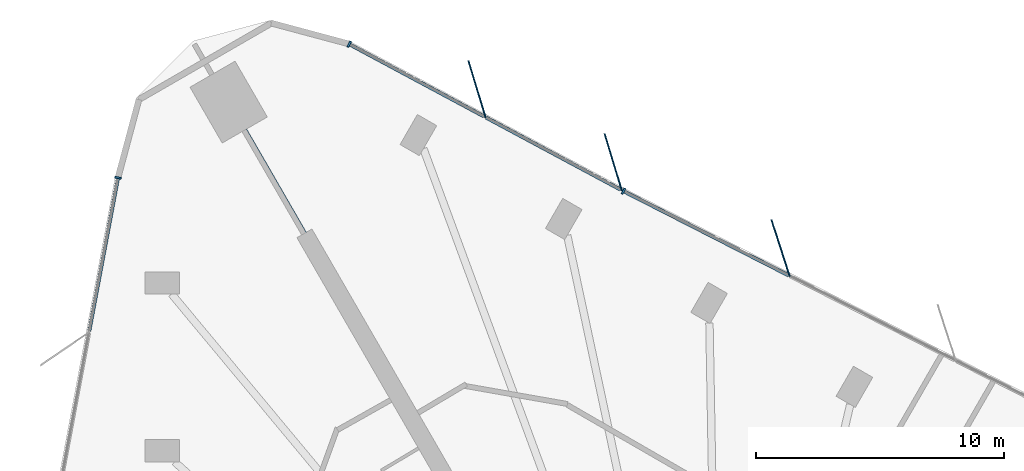
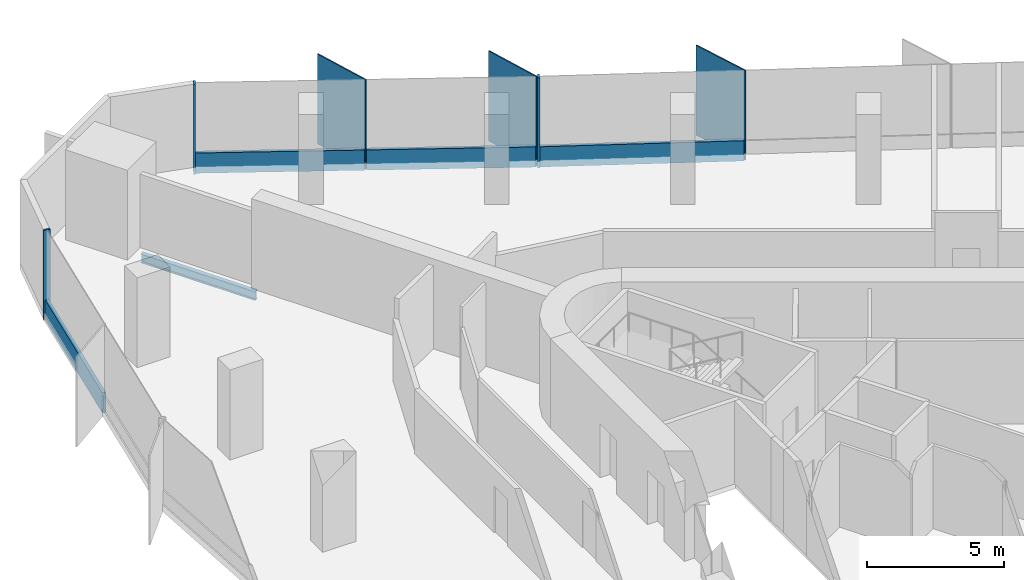
# One storey, part 6 of 13: 10 members, 1 beam, 3 elements without a shape of their own.
"""IFC4 building model written with IfcOpenShell, lengths in metres."""

import ifcopenshell
import ifcopenshell.guid

model = None  # the IFC model being written
_history = None  # IfcOwnerHistory: only IFC2X3 demands one
_inside = {}  # id of a spatial element -> (the spatial element, [elements in it])
_under = {}  # id of a project, library or spatial element -> (it, [spatial elements below it])
_declared = {}  # id of a project -> (the project, [libraries it declares])
_typed = {}  # id of a type object -> (the type object, [elements of that type])
_made_of = {}  # id of a material, layer set ... -> (it, [elements and type objects made of it])


def new_model(schema):
    """Start an empty IFC model of exactly this schema.

    Asked for "IFC4X3", IfcOpenShell would pick the latest addendum, in which some entities
    have other attributes; the version numbers below select the first issue.
    IFC2X3 requires an IfcOwnerHistory on every rooted entity: one is made here for all.
    """
    global model, _history
    if schema == "IFC4X3":
        model = ifcopenshell.file(schema_version=(4, 3, 0, 0))
    else:
        model = ifcopenshell.file(schema=schema)
    _inside.clear()
    _under.clear()
    _declared.clear()
    _typed.clear()
    _made_of.clear()
    _history = None
    if model.schema == "IFC2X3":
        org = make("IfcOrganization", Name="unknown")
        user = make(
            "IfcPersonAndOrganization",
            ThePerson=make("IfcPerson", FamilyName="unknown"),
            TheOrganization=org,
        )
        app = make(
            "IfcApplication",
            ApplicationDeveloper=org,
            Version="unknown",
            ApplicationFullName="unknown",
            ApplicationIdentifier="unknown",
        )
        _history = make(
            "IfcOwnerHistory",
            OwningUser=user,
            OwningApplication=app,
            ChangeAction="ADDED",
            CreationDate=0,
        )
    return model


def make(cls, **values):
    """One entity of the class cls with the attributes given. An attribute that is None is left unset."""
    return model.create_entity(
        cls, **{name: value for name, value in values.items() if value is not None}
    )


def rooted(cls, **values):
    """An entity with a GlobalId (a new one), such as an element, a storey or a relation."""
    return make(cls, GlobalId=ifcopenshell.guid.new(), OwnerHistory=_history, **values)


def si_unit(unit_type, name, prefix=None):
    """IfcSIUnit, for example si_unit("LENGTHUNIT", "METRE", prefix="MILLI")."""
    return make("IfcSIUnit", UnitType=unit_type, Prefix=prefix, Name=name)


def assignment(units):
    """IfcUnitAssignment: the units of a project."""
    return None if units is None else make("IfcUnitAssignment", Units=units)


def point(xyz):
    """IfcCartesianPoint."""
    return None if xyz is None else make("IfcCartesianPoint", Coordinates=xyz)


def direction(xyz):
    """IfcDirection."""
    return None if xyz is None else make("IfcDirection", DirectionRatios=xyz)


def frame(location, z_axis=None, x_axis=None):
    """IfcAxis2Placement3D, a coordinate frame: its origin and axes. An axis left out is left unset."""
    return make(
        "IfcAxis2Placement3D",
        Location=point(location),
        Axis=direction(z_axis),
        RefDirection=direction(x_axis),
    )


def frame_2d(location, x_axis=None):
    """IfcAxis2Placement2D, a coordinate frame in the plane: its origin and x axis."""
    return make(
        "IfcAxis2Placement2D", Location=point(location), RefDirection=direction(x_axis)
    )


def origin():
    """The frame at (0, 0, 0) with its axes left unset."""
    return frame((0.0, 0.0, 0.0))


def origin_2d():
    """The frame at (0, 0) in the plane with its x axis left unset."""
    return frame_2d((0.0, 0.0))


def place(relative_to, where):
    """IfcLocalPlacement: puts the frame where relative to a parent placement (None: the world)."""
    return make(
        "IfcLocalPlacement", PlacementRelTo=relative_to, RelativePlacement=where
    )


def context(
    kind, dimensions, precision=None, world=None, true_north=None, identifier=None
):
    """IfcGeometricRepresentationContext, for example the 3D "Model" context."""
    return make(
        "IfcGeometricRepresentationContext",
        ContextIdentifier=identifier,
        ContextType=kind,
        CoordinateSpaceDimension=dimensions,
        Precision=precision,
        WorldCoordinateSystem=world,
        TrueNorth=true_north,
    )


def subcontext(parent, identifier, kind, view, scale=None):
    """IfcGeometricRepresentationSubContext, for example "Body" below "Model"."""
    return make(
        "IfcGeometricRepresentationSubContext",
        ContextIdentifier=identifier,
        ContextType=kind,
        ParentContext=parent,
        TargetScale=scale,
        TargetView=view,
    )


def project(units=None, contexts=None):
    """IfcProject with its units and contexts."""
    return rooted(
        "IfcProject",
        Name="project",
        RepresentationContexts=contexts,
        UnitsInContext=assignment(units),
    )


def spatial(cls, under=None, at=None, **own):
    """A site, building, storey or space (cls), placed at a placement, below another one or the project."""
    s = rooted(cls, ObjectPlacement=at, **own)
    if under is not None:
        _under.setdefault(under.id(), (under, []))[1].append(s)
    return s


def profile(cls, at=None, kind="AREA", **sizes):
    """A parametric profile (cls). Its sizes go by their IFC names, for example OverallWidth=200.0."""
    return make(cls, ProfileType=kind, Position=at, **sizes)


def rectangle(**sizes):
    """IfcRectangleProfileDef."""
    return profile("IfcRectangleProfileDef", **sizes)


def i_section(**sizes):
    """IfcIShapeProfileDef."""
    return profile("IfcIShapeProfileDef", **sizes)


def extrude(swept, where, along, depth):
    """IfcExtrudedAreaSolid: the profile swept, set in the frame where, extruded along a direction by depth."""
    return make(
        "IfcExtrudedAreaSolid",
        SweptArea=swept,
        Position=where,
        ExtrudedDirection=direction(along),
        Depth=depth,
    )


def shape(context_of_items, identifier, shape_type, items):
    """IfcShapeRepresentation: the items that make up one representation, for example the "Body"."""
    return make(
        "IfcShapeRepresentation",
        ContextOfItems=context_of_items,
        RepresentationIdentifier=identifier,
        RepresentationType=shape_type,
        Items=items,
    )


def material(Name=None, Category=None):
    """IfcMaterial."""
    return make("IfcMaterial", Name=Name, Category=Category)


def material_profile(
    of_material, cross_section, Name=None, Category=None, Priority=None
):
    """IfcMaterialProfile: a cross section and its material."""
    return make(
        "IfcMaterialProfile",
        Name=Name,
        Material=of_material,
        Profile=cross_section,
        Priority=Priority,
        Category=Category,
    )


def profile_set(profiles, Name=None, composite=None):
    """IfcMaterialProfileSet."""
    return make(
        "IfcMaterialProfileSet",
        Name=Name,
        MaterialProfiles=profiles,
        CompositeProfile=composite,
    )


def made_of(thing, what):
    """Note that an element or type object is made of a material, layer set ...; save() writes the relation."""
    if what is not None:
        _made_of.setdefault(what.id(), (what, []))[1].append(thing)
    return thing


def type_object(cls, material=None, **own):
    """A type object (cls), such as IfcWallType, which elements share."""
    return made_of(rooted(cls, **own), material)


def element(
    cls,
    number,
    at=None,
    inside=None,
    cuts=None,
    type_object=None,
    material=None,
    context=None,
    identifier="Body",
    shape_type=None,
    held_by="IfcProductDefinitionShape",
    body=None,
    shapes=None,
    **own,
):
    """One element of the class cls, such as IfcWall. Its Tag is "e" and its number.

    at: its placement. inside: the storey or other place that contains it. cuts: it is an
    opening in that element (IfcRelVoidsElement). A single representation is given by context,
    identifier, shape_type and body (its items); several are given by shapes. held_by: the class
    of the entity that holds the representations. save() writes the other relations.
    """
    e = rooted(cls, Tag="e%d" % number, ObjectPlacement=at, **own)
    if body is not None:
        shapes = [shape(context, identifier, shape_type, body)]
    if shapes is not None:
        e.Representation = make(held_by, Representations=shapes)
    if inside is not None:
        _inside.setdefault(inside.id(), (inside, []))[1].append(e)
    if cuts is not None:
        rooted(
            "IfcRelVoidsElement", RelatingBuildingElement=cuts, RelatedOpeningElement=e
        )
    if type_object is not None:
        _typed.setdefault(type_object.id(), (type_object, []))[1].append(e)
    return made_of(e, material)


def aggregate(whole, parts):
    """IfcRelAggregates: a whole, such as a stair, and the parts it consists of."""
    return rooted("IfcRelAggregates", RelatingObject=whole, RelatedObjects=parts)


def save(model, path):
    """Write the relations noted so far, then the file.

    IfcRelAggregates (storeys below a building ...), IfcRelContainedInSpatialStructure (elements
    in a storey), IfcRelDefinesByType, IfcRelAssociatesMaterial and IfcRelDeclares: one each for
    every whole, place, type object, material and project.
    """
    for whole, parts in _under.values():
        aggregate(whole, parts)
    for where, things in _inside.values():
        rooted(
            "IfcRelContainedInSpatialStructure",
            RelatedElements=things,
            RelatingStructure=where,
        )
    for kind, things in _typed.values():
        rooted("IfcRelDefinesByType", RelatedObjects=things, RelatingType=kind)
    for what, things in _made_of.values():
        rooted("IfcRelAssociatesMaterial", RelatedObjects=things, RelatingMaterial=what)
    for by, libraries in _declared.values():
        rooted("IfcRelDeclares", RelatingContext=by, RelatedDefinitions=libraries)
    model.write(path)


model = new_model("IFC4")

# Units and contexts
model_context = context("Model", 3, precision=1e-05, world=origin(), true_north=direction((0.0, 1.0)))
body_context = subcontext(model_context, "Body", "Model", "MODEL_VIEW")
ifc_project = project(units=[si_unit("LENGTHUNIT", "METRE"), si_unit("AREAUNIT", "SQUARE_METRE"), si_unit("VOLUMEUNIT", "CUBIC_METRE"), si_unit("PLANEANGLEUNIT", "RADIAN"), si_unit("MASSUNIT", "GRAM", prefix="KILO")], contexts=[model_context])

# Site, building, storey
site_placement = place(None, origin())
site = spatial("IfcSite", under=ifc_project, at=site_placement, CompositionType="ELEMENT")
building_placement = place(site_placement, origin())
building = spatial("IfcBuilding", under=site, at=building_placement, Name="Tanit Gate Tower", CompositionType="ELEMENT")
storey_placement = place(building_placement, frame((0.0, 0.0, 173.199951171875)))
storey = spatial("IfcBuildingStorey", under=building, at=storey_placement, Name="L37", CompositionType="ELEMENT", Elevation=173.199951171875)

# Curtain wall, member
ifc_material_1 = material(Name="Aluminium bronze anodised and glass", Category="aluminium")
curtain_wall_type = type_object("IfcCurtainWallType", Name="Curtain wall typical mid", PredefinedType="NOTDEFINED", material=ifc_material_1)
curtain_wall_1_placement = place(storey_placement, origin())
curtain_wall_1 = element("IfcCurtainWall", 1, at=curtain_wall_1_placement, inside=storey, type_object=curtain_wall_type, Name="Curtain wall L37 NE2", PredefinedType="NOTDEFINED")
ifc_material_2 = material(Name="Aluminium bronze anodised", Category="aluminium")
ifc_material_profile_1 = material_profile(ifc_material_2, rectangle(XDim=2.39990234375, YDim=0.055908203125, at=origin_2d()), Name="56x2400 bronze fin mullion")
ifc_profile_set_1 = profile_set([ifc_material_profile_1], Name="Aluminium bronze anodised")
member_type_1 = type_object("IfcMemberType", Name="FIN MULLION 56x2400 bronze", PredefinedType="MULLION", material=ifc_profile_set_1)
member_1_placement = place(storey_placement, frame((2.418212890625, 28.48974609375, -0.300048828125), z_axis=(0.0, 0.0, 1.0), x_axis=(0.308568289465, -0.951202192353, 0.0)))
member_1 = element("IfcMember", 2, at=member_1_placement, type_object=member_type_1, Name="Fin mullion L37 NE2.5", PredefinedType="MULLION", context=body_context, shape_type="SweptSolid", body=[
    extrude(rectangle(XDim=2.39990234375, YDim=0.055908203125, at=origin_2d()), origin(), (0.0, 0.0, 1.0), 4.0),
])

# Curtain wall, members
curtain_wall_2_placement = place(storey_placement, origin())
curtain_wall_2 = element("IfcCurtainWall", 3, at=curtain_wall_2_placement, inside=storey, type_object=curtain_wall_type, Name="Curtain wall L37 NE3", PredefinedType="NOTDEFINED")
member_2_placement = place(storey_placement, frame((-4.333740234375, 31.953857421875, -0.300048828125), z_axis=(0.0, 0.0, 1.0), x_axis=(0.289196311562, -0.957269812216, 0.0)))
member_2 = element("IfcMember", 4, at=member_2_placement, type_object=member_type_1, Name="Fin mullion L37 NE3.1", PredefinedType="MULLION", context=body_context, shape_type="SweptSolid", body=[
    extrude(rectangle(XDim=2.39990234375, YDim=0.055908203125, at=origin_2d()), origin(), (0.0, 0.0, 1.0), 4.0),
])
member_3_placement = place(storey_placement, frame((-9.829345703125, 34.8994140625, -0.300048828125), z_axis=(0.0, 0.0, 1.0), x_axis=(0.289196311562, -0.957269812216, 0.0)))
member_3 = element("IfcMember", 5, at=member_3_placement, type_object=member_type_1, Name="Fin mullion L37 NE3.2", PredefinedType="MULLION", context=body_context, shape_type="SweptSolid", body=[
    extrude(rectangle(XDim=2.39990234375, YDim=0.055908203125, at=origin_2d()), origin(), (0.0, 0.0, 1.0), 4.0),
])

# Member
ifc_material_3 = material(Name="Aluminium bronze anodised", Category="aluminium")
ifc_material_profile_2 = material_profile(ifc_material_3, rectangle(XDim=0.260009765625, YDim=0.080078125, at=origin_2d()), Name="80x260 bronze mullion")
ifc_profile_set_2 = profile_set([ifc_material_profile_2], Name="Aluminium bronze anodised")
member_type_2 = type_object("IfcMemberType", Name="Mullion 80x260 typical mid", PredefinedType="MULLION", material=ifc_profile_set_2)
member_4_placement = place(storey_placement, frame((-3.921875, 30.788330078125, -0.300048828125), z_axis=(0.0, 0.0, 1.0), x_axis=(-0.454410790552, -0.890792250432, 0.0)))
member_4 = element("IfcMember", 6, at=member_4_placement, type_object=member_type_2, Name="Mullion L37 NE2.6", PredefinedType="MULLION", context=body_context, shape_type="SweptSolid", body=[
    extrude(rectangle(XDim=0.260009765625, YDim=0.080078125, at=origin_2d()), origin(), (0.0, 0.0, 1.0), 4.0),
])

member_5_placement = place(storey_placement, frame((-14.984130859375, 36.716552734375, -0.300048828125), z_axis=(0.0, 0.0, 1.0), x_axis=(-0.472399302643, -0.881384648642, 0.0)))
member_5 = element("IfcMember", 7, at=member_5_placement, type_object=member_type_2, Name="Mullion L37 NE3.3", PredefinedType="MULLION", context=body_context, shape_type="SweptSolid", body=[
    extrude(rectangle(XDim=0.260009765625, YDim=0.080078125, at=origin_2d()), origin(), (0.0, 0.0, 1.0), 4.0),
])

# Curtain wall, member
curtain_wall_3_placement = place(storey_placement, origin())
curtain_wall_3 = element("IfcCurtainWall", 8, at=curtain_wall_3_placement, inside=storey, type_object=curtain_wall_type, Name="Curtain wall L37 W1", PredefinedType="NOTDEFINED")
member_6_placement = place(storey_placement, frame((-24.313720703125, 31.32666015625, -0.300048828125), z_axis=(0.0, 0.0, 1.0), x_axis=(0.98288954154, -0.184195953081, 0.0)))
member_6 = element("IfcMember", 9, at=member_6_placement, type_object=member_type_2, Name="Mullion L37 W1.1", PredefinedType="MULLION", context=body_context, shape_type="SweptSolid", body=[
    extrude(rectangle(XDim=0.260009765625, YDim=0.080078125, at=origin_2d()), origin(), (0.0, 0.0, 1.0), 4.0),
])

# Beam
ifc_material_4 = material(Name="Steel S355", Category="steel")
ifc_material_profile_3 = material_profile(ifc_material_4, i_section(OverallWidth=0.179931640625, OverallDepth=0.39990234375, WebThickness=0.008544921875, FlangeThickness=0.013427734375, FilletRadius=0.02099609375, at=origin_2d()), Name="IPE 400")
ifc_profile_set_3 = profile_set([ifc_material_profile_3], Name="Steel S355")
beam_type = type_object("IfcBeamType", Name="RADIAL GIRDER IPE 400 S355", PredefinedType="BEAM", material=ifc_profile_set_3)
beam_placement = place(storey_placement, frame((-19.198974609375, 33.253662109375, -0.5), z_axis=(0.500010649093, -0.866019255441, 0.0), x_axis=(0.866019255441, 0.500010649093, 0.0)))
element("IfcBeam", 10, at=beam_placement, inside=storey, type_object=beam_type, Name="RADIAL GIRDER", PredefinedType="BEAM", context=body_context, shape_type="SweptSolid", body=[
    extrude(i_section(OverallWidth=0.179931640625, OverallDepth=0.39990234375, WebThickness=0.008544921875, FlangeThickness=0.013427734375, FilletRadius=0.02099609375, at=origin_2d()), origin(), (0.0, 0.0, 1.0), 4.8154296875),
])

# Member
ifc_material_5 = material(Name="Aluminium bronze anodised", Category="aluminium")
ifc_material_profile_4 = material_profile(ifc_material_5, rectangle(XDim=0.139892578125, YDim=0.89990234375, at=origin_2d()), Name="140x900 bronze transom")
ifc_profile_set_4 = profile_set([ifc_material_profile_4], Name="Aluminium bronze anodised")
member_type_3 = type_object("IfcMemberType", Name="Transom 140x900 typical mid", PredefinedType="USERDEFINED", material=ifc_profile_set_4)
member_7_placement = place(storey_placement, frame((2.746337890625, 27.38671875, 0.150146484375), z_axis=(-0.890797896574, 0.454399722116, 0.0), x_axis=(-0.454399722116, -0.890797896574, 0.0)))
member_7 = element("IfcMember", 11, at=member_7_placement, type_object=member_type_3, Name="Transom L37 NE2.5", ObjectType="TRANSOM", PredefinedType="USERDEFINED", context=body_context, shape_type="SweptSolid", body=[
    extrude(rectangle(XDim=0.139892578125, YDim=0.89990234375, at=origin_2d()), origin(), (0.0, 0.0, 1.0), 7.445556640625),
])

aggregate(curtain_wall_1, [member_1, member_4, member_7])

member_8_placement = place(storey_placement, frame((-4.028076171875, 30.84423828125, 0.150146484375), z_axis=(-0.88138265757, 0.472403017491, 0.0), x_axis=(-0.472403017491, -0.88138265757, 0.0)))
member_8 = element("IfcMember", 12, at=member_8_placement, type_object=member_type_3, Name="Transom L37 NE3.1", ObjectType="TRANSOM", PredefinedType="USERDEFINED", context=body_context, shape_type="SweptSolid", body=[
    extrude(rectangle(XDim=0.139892578125, YDim=0.89990234375, at=origin_2d()), origin(), (0.0, 0.0, 1.0), 6.1552734375),
])

member_9_placement = place(storey_placement, frame((-9.523681640625, 33.789794921875, 0.150146484375), z_axis=(-0.881391508797, 0.472386503005, 0.0), x_axis=(-0.472386503005, -0.881391508797, 0.0)))
member_9 = element("IfcMember", 13, at=member_9_placement, type_object=member_type_3, Name="Transom L37 NE3.2", ObjectType="TRANSOM", PredefinedType="USERDEFINED", context=body_context, shape_type="SweptSolid", body=[
    extrude(rectangle(XDim=0.139892578125, YDim=0.89990234375, at=origin_2d()), origin(), (0.0, 0.0, 1.0), 6.1552734375),
])

aggregate(curtain_wall_2, [member_2, member_3, member_5, member_8, member_9])

member_10_placement = place(storey_placement, frame((-24.3212890625, 31.287353515625, 0.150146484375), z_axis=(-0.184166057042, -0.982895143662, 0.0), x_axis=(0.982895143662, -0.184166057042, 0.0)))
member_10 = element("IfcMember", 14, at=member_10_placement, type_object=member_type_3, Name="Transom L37 W1.1", ObjectType="TRANSOM", PredefinedType="USERDEFINED", context=body_context, shape_type="SweptSolid", body=[
    extrude(rectangle(XDim=0.139892578125, YDim=0.89990234375, at=origin_2d()), origin(), (0.0, 0.0, 1.0), 6.25830078125),
])

aggregate(curtain_wall_3, [member_6, member_10])

save(model, "model.ifc")
